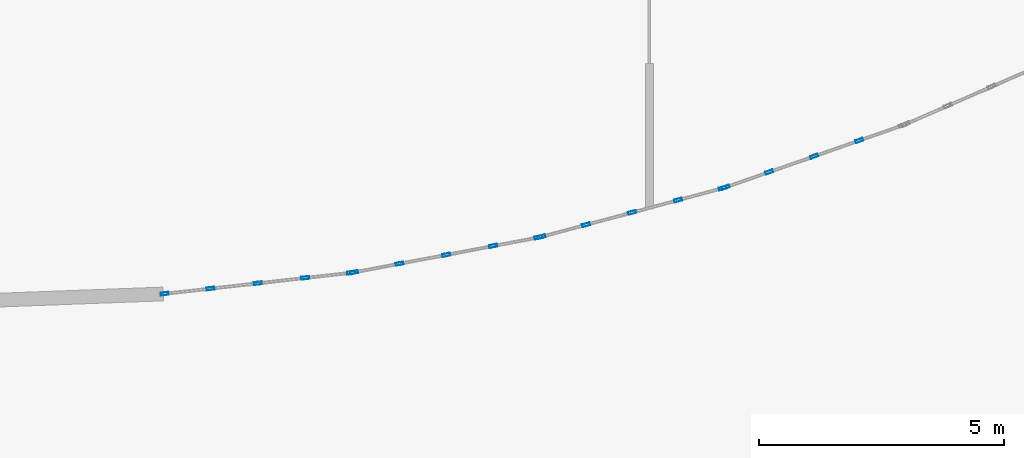
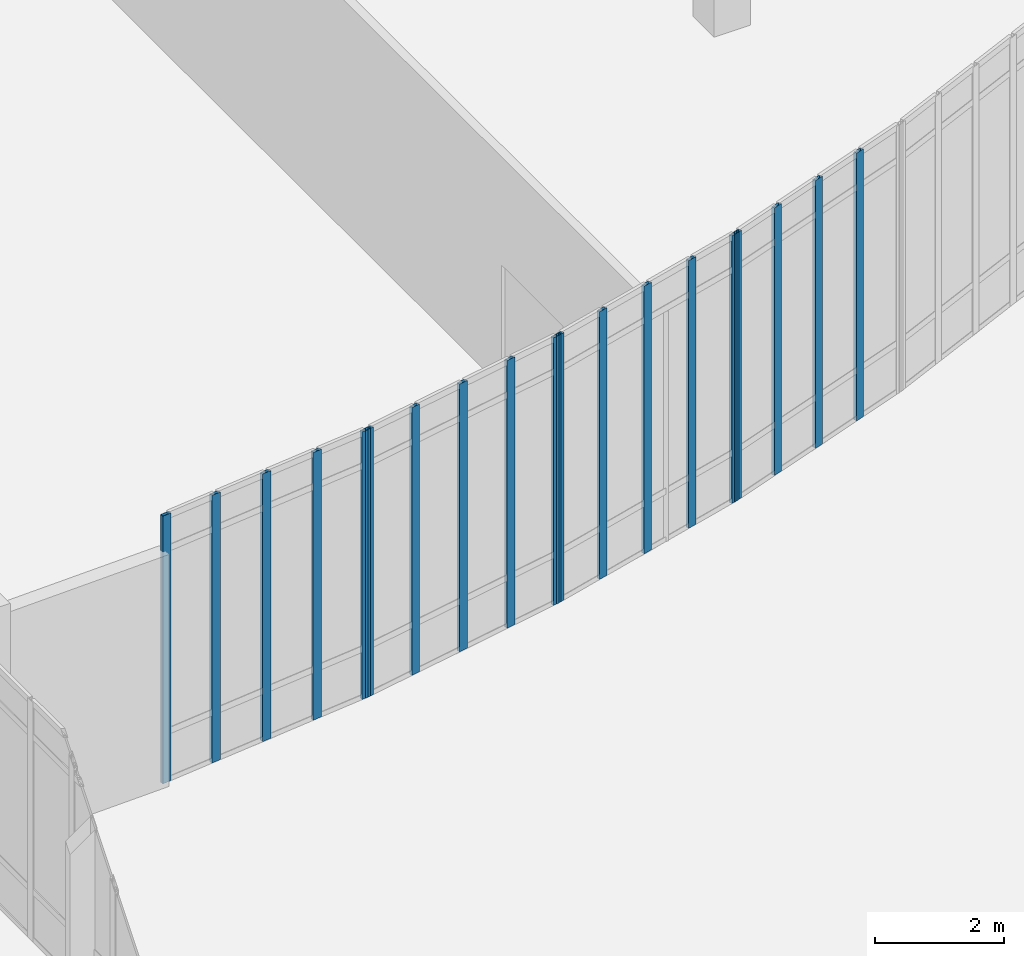
# One storey, part 23 of 110: 19 members, 4 elements without a shape of their own.
"""IFC4 building model written with IfcOpenShell, lengths in metres."""

from ifc_helpers import new_model, si_unit, direction, frame, origin, origin_2d, place, context, subcontext, project, spatial, hollow_rectangle, extrude, material, material_profile, profile_set, type_object, element, aggregate, save


model = new_model("IFC4")

# Units and contexts
model_context = context("Model", 3, precision=1e-05, world=origin(), true_north=direction((0.0, 1.0)))
body_context = subcontext(model_context, "Body", "Model", "MODEL_VIEW")
ifc_project = project(units=[si_unit("LENGTHUNIT", "METRE"), si_unit("AREAUNIT", "SQUARE_METRE"), si_unit("VOLUMEUNIT", "CUBIC_METRE"), si_unit("PLANEANGLEUNIT", "RADIAN"), si_unit("MASSUNIT", "GRAM", prefix="KILO")], contexts=[model_context])

# Site, building, storey
site_placement = place(None, origin())
site = spatial("IfcSite", under=ifc_project, at=site_placement, CompositionType="ELEMENT")
building_placement = place(site_placement, origin())
building = spatial("IfcBuilding", under=site, at=building_placement, Name="Kalluvel Institute of Natural Sciences", CompositionType="ELEMENT")
storey_placement = place(building_placement, origin())
storey = spatial("IfcBuildingStorey", under=building, at=storey_placement, Name="L00", CompositionType="ELEMENT", Elevation=0.0)

# Curtain wall, members
ifc_material = material(Name="Aluminium AW-6063 T6", Category="aluminium")
curtain_wall_type = type_object("IfcCurtainWallType", Name="CW-ATR-L00", PredefinedType="USERDEFINED", material=ifc_material)
curtain_wall_1_placement = place(storey_placement, origin())
curtain_wall_1 = element("IfcCurtainWall", 1, at=curtain_wall_1_placement, inside=storey, type_object=curtain_wall_type, Name="L00 Gothic lancet curtain wall CWA-L00-X395-Y509", ObjectType="UNITISED LANCET FACADE", PredefinedType="USERDEFINED")
ifc_material_profile = material_profile(ifc_material, hollow_rectangle(XDim=0.06005859375, YDim=0.159912109375, WallThickness=0.00390625, at=origin_2d()), Name="CWM 60x160")
ifc_profile_set = profile_set([ifc_material_profile], Name="Aluminium AW-6063 T6")
member_type = type_object("IfcMemberType", Name="CWM-60x160", PredefinedType="MULLION", material=ifc_profile_set)
member_1_placement = place(storey_placement, frame((39.515869140625, 50.94873046875, 0.0), z_axis=(0.0, 0.0, 1.0), x_axis=(-0.111966818808, 0.993711945931, 0.0)))
member_1 = element("IfcMember", 2, at=member_1_placement, type_object=member_type, Name="CW-06 mullion 1", PredefinedType="MULLION", context=body_context, shape_type="SweptSolid", body=[
    extrude(hollow_rectangle(XDim=0.06005859375, YDim=0.159912109375, WallThickness=0.00390625, at=origin_2d()), origin(), (0.0, 0.0, 1.0), 5.050048828125),
])
member_2_placement = place(storey_placement, frame((40.4521484375, 51.05419921875, 0.0), z_axis=(0.0, 0.0, 1.0), x_axis=(-0.111966818808, 0.993711945931, 0.0)))
member_2 = element("IfcMember", 3, at=member_2_placement, type_object=member_type, Name="CW-06 mullion 2", PredefinedType="MULLION", context=body_context, shape_type="SweptSolid", body=[
    extrude(hollow_rectangle(XDim=0.06005859375, YDim=0.159912109375, WallThickness=0.00390625, at=origin_2d()), origin(), (0.0, 0.0, 1.0), 5.050048828125),
])
member_3_placement = place(storey_placement, frame((41.418212890625, 51.1630859375, 0.0), z_axis=(0.0, 0.0, 1.0), x_axis=(-0.111966818808, 0.993711945931, 0.0)))
member_3 = element("IfcMember", 4, at=member_3_placement, type_object=member_type, Name="CW-06 mullion 3", PredefinedType="MULLION", context=body_context, shape_type="SweptSolid", body=[
    extrude(hollow_rectangle(XDim=0.06005859375, YDim=0.159912109375, WallThickness=0.00390625, at=origin_2d()), origin(), (0.0, 0.0, 1.0), 5.050048828125),
])
member_4_placement = place(storey_placement, frame((42.384033203125, 51.27197265625, 0.0), z_axis=(0.0, 0.0, 1.0), x_axis=(-0.111966818808, 0.993711945931, 0.0)))
member_4 = element("IfcMember", 5, at=member_4_placement, type_object=member_type, Name="CW-06 mullion 4", PredefinedType="MULLION", context=body_context, shape_type="SweptSolid", body=[
    extrude(hollow_rectangle(XDim=0.06005859375, YDim=0.159912109375, WallThickness=0.00390625, at=origin_2d()), origin(), (0.0, 0.0, 1.0), 5.050048828125),
])
member_5_placement = place(storey_placement, frame((43.3203125, 51.37744140625, 0.0), z_axis=(0.0, 0.0, 1.0), x_axis=(-0.111966818808, 0.993711945931, 0.0)))
member_5 = element("IfcMember", 6, at=member_5_placement, type_object=member_type, Name="CW-06 mullion 5", PredefinedType="MULLION", context=body_context, shape_type="SweptSolid", body=[
    extrude(hollow_rectangle(XDim=0.06005859375, YDim=0.159912109375, WallThickness=0.00390625, at=origin_2d()), origin(), (0.0, 0.0, 1.0), 5.050048828125),
])
aggregate(curtain_wall_1, [member_1, member_2, member_3, member_4, member_5])

curtain_wall_2_placement = place(storey_placement, origin())
curtain_wall_2 = element("IfcCurtainWall", 7, at=curtain_wall_2_placement, inside=storey, type_object=curtain_wall_type, Name="L00 Gothic lancet curtain wall CWA-L00-X434-Y514", ObjectType="UNITISED LANCET FACADE", PredefinedType="USERDEFINED")
member_6_placement = place(storey_placement, frame((43.379638671875, 51.386474609375, 0.0), z_axis=(0.0, 0.0, 1.0), x_axis=(-0.185898378113, 0.982568976212, 0.0)))
member_6 = element("IfcMember", 8, at=member_6_placement, type_object=member_type, Name="CW-06 mullion 1", PredefinedType="MULLION", context=body_context, shape_type="SweptSolid", body=[
    extrude(hollow_rectangle(XDim=0.06005859375, YDim=0.159912109375, WallThickness=0.00390625, at=origin_2d()), origin(), (0.0, 0.0, 1.0), 5.050048828125),
])
member_7_placement = place(storey_placement, frame((44.305419921875, 51.5615234375, 0.0), z_axis=(0.0, 0.0, 1.0), x_axis=(-0.185898378113, 0.982568976212, 0.0)))
member_7 = element("IfcMember", 9, at=member_7_placement, type_object=member_type, Name="CW-06 mullion 2", PredefinedType="MULLION", context=body_context, shape_type="SweptSolid", body=[
    extrude(hollow_rectangle(XDim=0.06005859375, YDim=0.159912109375, WallThickness=0.00390625, at=origin_2d()), origin(), (0.0, 0.0, 1.0), 5.050048828125),
])
member_8_placement = place(storey_placement, frame((45.2607421875, 51.7421875, 0.0), z_axis=(0.0, 0.0, 1.0), x_axis=(-0.185898378113, 0.982568976212, 0.0)))
member_8 = element("IfcMember", 10, at=member_8_placement, type_object=member_type, Name="CW-06 mullion 3", PredefinedType="MULLION", context=body_context, shape_type="SweptSolid", body=[
    extrude(hollow_rectangle(XDim=0.06005859375, YDim=0.159912109375, WallThickness=0.00390625, at=origin_2d()), origin(), (0.0, 0.0, 1.0), 5.050048828125),
])
member_9_placement = place(storey_placement, frame((46.2158203125, 51.923095703125, 0.0), z_axis=(0.0, 0.0, 1.0), x_axis=(-0.185898378113, 0.982568976212, 0.0)))
member_9 = element("IfcMember", 11, at=member_9_placement, type_object=member_type, Name="CW-06 mullion 4", PredefinedType="MULLION", context=body_context, shape_type="SweptSolid", body=[
    extrude(hollow_rectangle(XDim=0.06005859375, YDim=0.159912109375, WallThickness=0.00390625, at=origin_2d()), origin(), (0.0, 0.0, 1.0), 5.050048828125),
])
member_10_placement = place(storey_placement, frame((47.1416015625, 52.09814453125, 0.0), z_axis=(0.0, 0.0, 1.0), x_axis=(-0.185898378113, 0.982568976212, 0.0)))
member_10 = element("IfcMember", 12, at=member_10_placement, type_object=member_type, Name="CW-06 mullion 5", PredefinedType="MULLION", context=body_context, shape_type="SweptSolid", body=[
    extrude(hollow_rectangle(XDim=0.06005859375, YDim=0.159912109375, WallThickness=0.00390625, at=origin_2d()), origin(), (0.0, 0.0, 1.0), 5.050048828125),
])
aggregate(curtain_wall_2, [member_6, member_7, member_8, member_9, member_10])

curtain_wall_3_placement = place(storey_placement, origin())
curtain_wall_3 = element("IfcCurtainWall", 13, at=curtain_wall_3_placement, inside=storey, type_object=curtain_wall_type, Name="L00 Gothic lancet curtain wall CWA-L00-X472-Y521", ObjectType="UNITISED LANCET FACADE", PredefinedType="USERDEFINED")
member_11_placement = place(storey_placement, frame((47.2001953125, 52.111572265625, 0.0), z_axis=(0.0, 0.0, 1.0), x_axis=(-0.25882606142, 0.965923946245, 0.0)))
member_11 = element("IfcMember", 14, at=member_11_placement, type_object=member_type, Name="CW-06 mullion 1", PredefinedType="MULLION", context=body_context, shape_type="SweptSolid", body=[
    extrude(hollow_rectangle(XDim=0.06005859375, YDim=0.159912109375, WallThickness=0.00390625, at=origin_2d()), origin(), (0.0, 0.0, 1.0), 5.050048828125),
])
member_12_placement = place(storey_placement, frame((48.110107421875, 52.355224609375, 0.0), z_axis=(0.0, 0.0, 1.0), x_axis=(-0.25882606142, 0.965923946245, 0.0)))
member_12 = element("IfcMember", 15, at=member_12_placement, type_object=member_type, Name="CW-06 mullion 2", PredefinedType="MULLION", context=body_context, shape_type="SweptSolid", body=[
    extrude(hollow_rectangle(XDim=0.06005859375, YDim=0.159912109375, WallThickness=0.00390625, at=origin_2d()), origin(), (0.0, 0.0, 1.0), 5.050048828125),
])
member_13_placement = place(storey_placement, frame((49.04931640625, 52.60693359375, 0.0), z_axis=(0.0, 0.0, 1.0), x_axis=(-0.25882606142, 0.965923946245, 0.0)))
member_13 = element("IfcMember", 16, at=member_13_placement, type_object=member_type, Name="CW-06 mullion 3", PredefinedType="MULLION", context=body_context, shape_type="SweptSolid", body=[
    extrude(hollow_rectangle(XDim=0.06005859375, YDim=0.159912109375, WallThickness=0.00390625, at=origin_2d()), origin(), (0.0, 0.0, 1.0), 5.050048828125),
])
member_14_placement = place(storey_placement, frame((49.98828125, 52.858642578125, 0.0), z_axis=(0.0, 0.0, 1.0), x_axis=(-0.25882606142, 0.965923946245, 0.0)))
member_14 = element("IfcMember", 17, at=member_14_placement, type_object=member_type, Name="CW-06 mullion 4", PredefinedType="MULLION", context=body_context, shape_type="SweptSolid", body=[
    extrude(hollow_rectangle(XDim=0.06005859375, YDim=0.159912109375, WallThickness=0.00390625, at=origin_2d()), origin(), (0.0, 0.0, 1.0), 5.050048828125),
])
member_15_placement = place(storey_placement, frame((50.8984375, 53.1025390625, 0.0), z_axis=(0.0, 0.0, 1.0), x_axis=(-0.25882606142, 0.965923946245, 0.0)))
member_15 = element("IfcMember", 18, at=member_15_placement, type_object=member_type, Name="CW-06 mullion 5", PredefinedType="MULLION", context=body_context, shape_type="SweptSolid", body=[
    extrude(hollow_rectangle(XDim=0.06005859375, YDim=0.159912109375, WallThickness=0.00390625, at=origin_2d()), origin(), (0.0, 0.0, 1.0), 5.050048828125),
])
aggregate(curtain_wall_3, [member_11, member_12, member_13, member_14, member_15])

curtain_wall_4_placement = place(storey_placement, origin())
curtain_wall_4 = element("IfcCurtainWall", 19, at=curtain_wall_4_placement, inside=storey, type_object=curtain_wall_type, Name="L00 Gothic lancet curtain wall CWA-L00-X509-Y531", ObjectType="UNITISED LANCET FACADE", PredefinedType="USERDEFINED")
member_16_placement = place(storey_placement, frame((50.95556640625, 53.1201171875, 0.0), z_axis=(0.0, 0.0, 1.0), x_axis=(-0.330295441321, 0.943877598761, 0.0)))
member_16 = element("IfcMember", 20, at=member_16_placement, type_object=member_type, Name="CW-06 mullion 1", PredefinedType="MULLION", context=body_context, shape_type="SweptSolid", body=[
    extrude(hollow_rectangle(XDim=0.06005859375, YDim=0.159912109375, WallThickness=0.00390625, at=origin_2d()), origin(), (0.0, 0.0, 1.0), 5.050048828125),
])
member_17_placement = place(storey_placement, frame((51.844970703125, 53.431396484375, 0.0), z_axis=(0.0, 0.0, 1.0), x_axis=(-0.330295441321, 0.943877598761, 0.0)))
member_17 = element("IfcMember", 21, at=member_17_placement, type_object=member_type, Name="CW-06 mullion 2", PredefinedType="MULLION", context=body_context, shape_type="SweptSolid", body=[
    extrude(hollow_rectangle(XDim=0.06005859375, YDim=0.159912109375, WallThickness=0.00390625, at=origin_2d()), origin(), (0.0, 0.0, 1.0), 5.050048828125),
])
member_18_placement = place(storey_placement, frame((52.762451171875, 53.75244140625, 0.0), z_axis=(0.0, 0.0, 1.0), x_axis=(-0.330295441321, 0.943877598761, 0.0)))
member_18 = element("IfcMember", 22, at=member_18_placement, type_object=member_type, Name="CW-06 mullion 3", PredefinedType="MULLION", context=body_context, shape_type="SweptSolid", body=[
    extrude(hollow_rectangle(XDim=0.06005859375, YDim=0.159912109375, WallThickness=0.00390625, at=origin_2d()), origin(), (0.0, 0.0, 1.0), 5.050048828125),
])
member_19_placement = place(storey_placement, frame((53.68017578125, 54.073486328125, 0.0), z_axis=(0.0, 0.0, 1.0), x_axis=(-0.330295441321, 0.943877598761, 0.0)))
member_19 = element("IfcMember", 23, at=member_19_placement, type_object=member_type, Name="CW-06 mullion 4", PredefinedType="MULLION", context=body_context, shape_type="SweptSolid", body=[
    extrude(hollow_rectangle(XDim=0.06005859375, YDim=0.159912109375, WallThickness=0.00390625, at=origin_2d()), origin(), (0.0, 0.0, 1.0), 5.050048828125),
])
aggregate(curtain_wall_4, [member_16, member_17, member_18, member_19])

save(model, "model.ifc")
